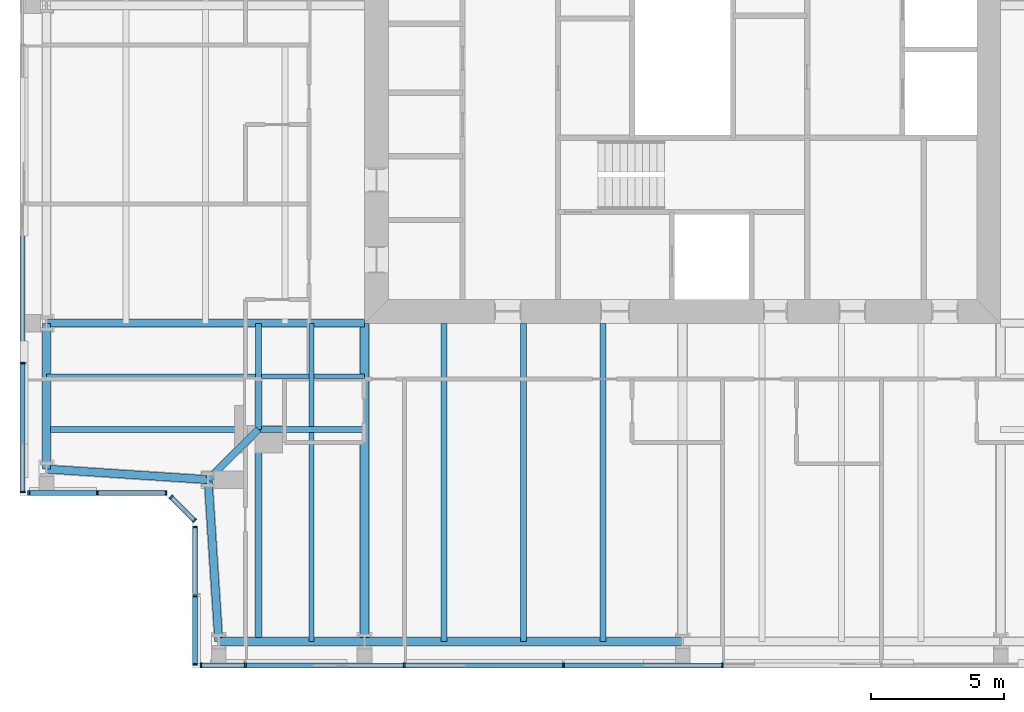
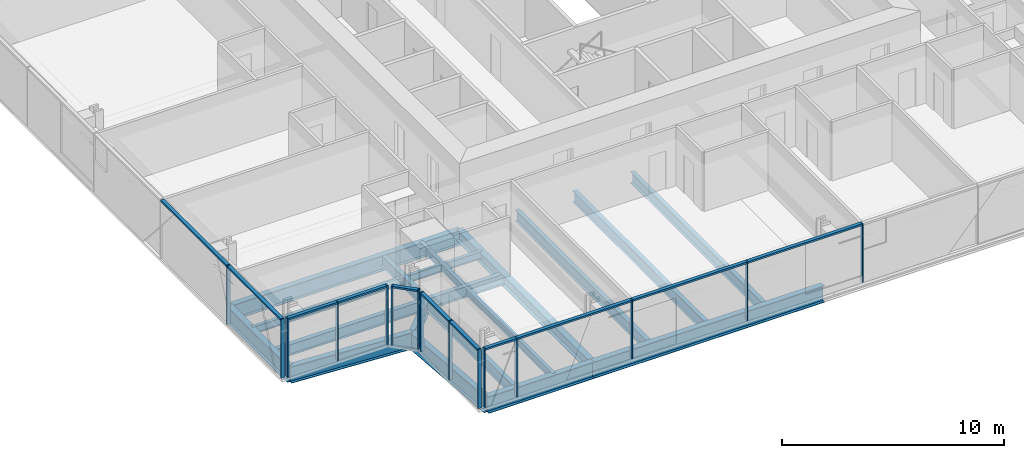
# One storey, part 2 of 20: 26 members, 20 beams, 5 elements without a shape of their own.
"""IFC4 building model written with IfcOpenShell, lengths in metres."""

from ifc_helpers import new_model, si_unit, direction, frame, origin, origin_2d, place, context, subcontext, project, spatial, rectangle, i_section, extrude, material, material_profile, profile_set, type_object, element, aggregate, save


model = new_model("IFC4")

# Units and contexts
model_context = context("Model", 3, precision=1e-05, world=origin(), true_north=direction((0.0, 1.0)))
body_context = subcontext(model_context, "Body", "Model", "MODEL_VIEW")
ifc_project = project(units=[si_unit("LENGTHUNIT", "METRE"), si_unit("AREAUNIT", "SQUARE_METRE"), si_unit("VOLUMEUNIT", "CUBIC_METRE"), si_unit("PLANEANGLEUNIT", "RADIAN"), si_unit("MASSUNIT", "GRAM", prefix="KILO")], contexts=[model_context])

# Site, building, storey
site_placement = place(None, origin())
site = spatial("IfcSite", under=ifc_project, at=site_placement, CompositionType="ELEMENT")
building_placement = place(site_placement, origin())
building = spatial("IfcBuilding", under=site, at=building_placement, Name="Fenwick Lantern Interchange", CompositionType="ELEMENT")
storey_placement = place(building_placement, frame((0.0, 0.0, 259.39990234375)))
storey = spatial("IfcBuildingStorey", under=building, at=storey_placement, Name="L61", CompositionType="ELEMENT", Elevation=259.39990234375)

# Beams
ifc_material_1 = material(Name="Steel ASTM A992 Grade 50", Category="steel")
ifc_material_profile_1 = material_profile(ifc_material_1, i_section(OverallWidth=0.3046875, OverallDepth=0.911865234375, WebThickness=0.015869140625, FlangeThickness=0.02392578125, at=origin_2d()), Name="W36X150")
ifc_profile_set_1 = profile_set([ifc_material_profile_1], Name="Steel ASTM A992 Grade 50")
beam_type_1 = type_object("IfcBeamType", Name="EDGE BEAM W36X150", PredefinedType="SPANDREL", material=ifc_profile_set_1)
beam_1_placement = place(storey_placement, frame((7.5, 1.0, -0.605712890625), z_axis=(1.0, 0.0, 0.0), x_axis=(0.0, 1.0, 0.0)))
element("IfcBeam", 1, at=beam_1_placement, inside=storey, type_object=beam_type_1, Name="L61/FR/S/EB1", PredefinedType="SPANDREL", context=body_context, shape_type="SweptSolid", body=[
    extrude(i_section(OverallWidth=0.3046875, OverallDepth=0.911865234375, WebThickness=0.015869140625, FlangeThickness=0.02392578125, at=origin_2d()), origin(), (0.0, 0.0, 1.0), 5.5),
])
beam_2_placement = place(storey_placement, frame((13.0, 1.0, -0.605712890625), z_axis=(1.0, 0.0, 0.0), x_axis=(0.0, 1.0, 0.0)))
element("IfcBeam", 2, at=beam_2_placement, inside=storey, type_object=beam_type_1, Name="L61/FR/S/EB2", PredefinedType="SPANDREL", context=body_context, shape_type="SweptSolid", body=[
    extrude(i_section(OverallWidth=0.3046875, OverallDepth=0.911865234375, WebThickness=0.015869140625, FlangeThickness=0.02392578125, at=origin_2d()), origin(), (0.0, 0.0, 1.0), 12.0),
])
beam_3_placement = place(storey_placement, frame((1.0, 13.0, -0.605712890625), z_axis=(0.0, -1.0, 0.0), x_axis=(1.0, 0.0, 0.0)))
element("IfcBeam", 3, at=beam_3_placement, inside=storey, type_object=beam_type_1, Name="L61/FR/W/EB4", PredefinedType="SPANDREL", context=body_context, shape_type="SweptSolid", body=[
    extrude(i_section(OverallWidth=0.3046875, OverallDepth=0.911865234375, WebThickness=0.015869140625, FlangeThickness=0.02392578125, at=origin_2d()), origin(), (0.0, 0.0, 1.0), 5.5),
])
for number, where, z_axis, x_axis, name in (
    (4, (1.0, 7.5, -0.605712890625), (0.997858060337, -0.065416293237, 0.0), (0.065416293237, 0.997858060337, 0.0), "L61/FR/W/EBR1"),
    (5, (7.10009765625, 7.10009765625, -0.605712890625), (0.065416293237, -0.997858060337, 0.0), (0.997858060337, 0.065416293237, 0.0), "L61/FR/W/EBR2"),
):
    element("IfcBeam", number, at=place(storey_placement, frame(where, z_axis=z_axis, x_axis=x_axis)), inside=storey, type_object=beam_type_1, Name=name, PredefinedType="SPANDREL", context=body_context, shape_type="SweptSolid", body=[
        extrude(i_section(OverallWidth=0.3046875, OverallDepth=0.911865234375, WebThickness=0.015869140625, FlangeThickness=0.02392578125, at=origin_2d()), origin(), (0.0, 0.0, 1.0), 6.11328125),
    ])
ifc_material_profile_2 = material_profile(ifc_material_1, i_section(OverallWidth=0.22900390625, OverallDepth=0.612060546875, WebThickness=0.011962890625, FlangeThickness=0.01953125, at=origin_2d()), Name="W24X84")
ifc_profile_set_2 = profile_set([ifc_material_profile_2], Name="Steel ASTM A992 Grade 50")
beam_type_2 = type_object("IfcBeamType", Name="FLOOR BEAM W24X84", PredefinedType="BEAM", material=ifc_profile_set_2)
for number, where, z_axis, x_axis, name in (
    (6, (16.0, 1.0, -0.4560546875), (0.0, 1.0, 0.0), (-1.0, 0.0, 0.0), "L61/FR/S/R02"),
    (7, (19.0, 1.0, -0.4560546875), (0.0, 1.0, 0.0), (-1.0, 0.0, 0.0), "L61/FR/S/R03"),
    (8, (22.0, 1.0, -0.4560546875), (0.0, 1.0, 0.0), (-1.0, 0.0, 0.0), "L61/FR/S/R04"),
):
    element("IfcBeam", number, at=place(storey_placement, frame(where, z_axis=z_axis, x_axis=x_axis)), inside=storey, type_object=beam_type_2, Name=name, PredefinedType="BEAM", context=body_context, shape_type="SweptSolid", body=[
        extrude(i_section(OverallWidth=0.22900390625, OverallDepth=0.612060546875, WebThickness=0.011962890625, FlangeThickness=0.01953125, at=origin_2d()), origin(), (0.0, 0.0, 1.0), 12.0),
    ])

# Curtain wall, members
ifc_material_2 = material(Name="Aluminium curtain wall frame", Category="aluminium")
curtain_wall_type = type_object("IfcCurtainWallType", Name="HOTEL CURTAIN WALL", PredefinedType="USERDEFINED", material=ifc_material_2)
curtain_wall_1_placement = place(storey_placement, origin())
curtain_wall_1 = element("IfcCurtainWall", 9, at=curtain_wall_1_placement, inside=storey, type_object=curtain_wall_type, Name="Hotel curtain wall 01", ObjectType="HOTEL CURTAIN WALL", PredefinedType="USERDEFINED")
ifc_material_3 = material(Name="Aluminium extrusion", Category="aluminium")
ifc_material_profile_3 = material_profile(ifc_material_3, rectangle(XDim=0.179931640625, YDim=0.06005859375, at=origin_2d()), Name="HOTEL CURTAIN WALL MULLION 60 X 180")
ifc_profile_set_3 = profile_set([ifc_material_profile_3], Name="Aluminium extrusion")
member_type_1 = type_object("IfcMemberType", Name="HOTEL CURTAIN WALL MULLION 60 X 180", PredefinedType="MULLION", material=ifc_profile_set_3)
member_1_placement = place(storey_placement, frame((6.830078125, 0.10009765625, 0.0), z_axis=(0.0, 0.0, 1.0), x_axis=(0.0, 1.0, 0.0)))
member_1 = element("IfcMember", 10, at=member_1_placement, type_object=member_type_1, Name="L61/CW/01/M00", PredefinedType="MULLION", context=body_context, shape_type="SweptSolid", body=[
    extrude(rectangle(XDim=0.179931640625, YDim=0.06005859375, at=origin_2d()), origin(), (0.0, 0.0, 1.0), 3.25),
])
member_2_placement = place(storey_placement, frame((8.5, 0.10009765625, 0.0), z_axis=(0.0, 0.0, 1.0), x_axis=(0.0, 1.0, 0.0)))
member_2 = element("IfcMember", 11, at=member_2_placement, type_object=member_type_1, Name="L61/CW/01/M01", PredefinedType="MULLION", context=body_context, shape_type="SweptSolid", body=[
    extrude(rectangle(XDim=0.179931640625, YDim=0.06005859375, at=origin_2d()), origin(), (0.0, 0.0, 1.0), 3.25),
])
member_3_placement = place(storey_placement, frame((14.5, 0.10009765625, 0.0), z_axis=(0.0, 0.0, 1.0), x_axis=(0.0, 1.0, 0.0)))
member_3 = element("IfcMember", 12, at=member_3_placement, type_object=member_type_1, Name="L61/CW/01/M02", PredefinedType="MULLION", context=body_context, shape_type="SweptSolid", body=[
    extrude(rectangle(XDim=0.179931640625, YDim=0.06005859375, at=origin_2d()), origin(), (0.0, 0.0, 1.0), 3.25),
])
member_4_placement = place(storey_placement, frame((20.5, 0.10009765625, 0.0), z_axis=(0.0, 0.0, 1.0), x_axis=(0.0, 1.0, 0.0)))
member_4 = element("IfcMember", 13, at=member_4_placement, type_object=member_type_1, Name="L61/CW/01/M03", PredefinedType="MULLION", context=body_context, shape_type="SweptSolid", body=[
    extrude(rectangle(XDim=0.179931640625, YDim=0.06005859375, at=origin_2d()), origin(), (0.0, 0.0, 1.0), 3.25),
])
member_5_placement = place(storey_placement, frame((26.5, 0.10009765625, 0.0), z_axis=(0.0, 0.0, 1.0), x_axis=(0.0, 1.0, 0.0)))
member_5 = element("IfcMember", 14, at=member_5_placement, type_object=member_type_1, Name="L61/CW/01/M04", PredefinedType="MULLION", context=body_context, shape_type="SweptSolid", body=[
    extrude(rectangle(XDim=0.179931640625, YDim=0.06005859375, at=origin_2d()), origin(), (0.0, 0.0, 1.0), 3.25),
])

curtain_wall_2_placement = place(storey_placement, origin())
curtain_wall_2 = element("IfcCurtainWall", 15, at=curtain_wall_2_placement, inside=storey, type_object=curtain_wall_type, Name="Hotel curtain wall 13", ObjectType="HOTEL CURTAIN WALL", PredefinedType="USERDEFINED")
member_6_placement = place(storey_placement, frame((0.10009765625, 11.5, 0.0), z_axis=(0.0, 0.0, 1.0), x_axis=(1.0, 0.0, 0.0)))
member_6 = element("IfcMember", 16, at=member_6_placement, type_object=member_type_1, Name="L61/CW/13/M06", PredefinedType="MULLION", context=body_context, shape_type="SweptSolid", body=[
    extrude(rectangle(XDim=0.179931640625, YDim=0.06005859375, at=origin_2d()), origin(), (0.0, 0.0, 1.0), 3.25),
])
member_7_placement = place(storey_placement, frame((0.10009765625, 6.6298828125, 0.0), z_axis=(0.0, 0.0, 1.0), x_axis=(1.0, 0.0, 0.0)))
member_7 = element("IfcMember", 17, at=member_7_placement, type_object=member_type_1, Name="L61/CW/13/M07", PredefinedType="MULLION", context=body_context, shape_type="SweptSolid", body=[
    extrude(rectangle(XDim=0.179931640625, YDim=0.06005859375, at=origin_2d()), origin(), (0.0, 0.0, 1.0), 3.25),
])

curtain_wall_3_placement = place(storey_placement, origin())
curtain_wall_3 = element("IfcCurtainWall", 18, at=curtain_wall_3_placement, inside=storey, type_object=curtain_wall_type, Name="Hotel curtain wall 14", ObjectType="HOTEL CURTAIN WALL", PredefinedType="USERDEFINED")
member_8_placement = place(storey_placement, frame((0.330078125, 6.60009765625, 0.0), z_axis=(0.0, 0.0, 1.0), x_axis=(0.0, 1.0, 0.0)))
member_8 = element("IfcMember", 19, at=member_8_placement, type_object=member_type_1, Name="L61/CW/14/M00", PredefinedType="MULLION", context=body_context, shape_type="SweptSolid", body=[
    extrude(rectangle(XDim=0.179931640625, YDim=0.06005859375, at=origin_2d()), origin(), (0.0, 0.0, 1.0), 3.25),
])
member_9_placement = place(storey_placement, frame((2.920654296875, 6.60009765625, 0.0), z_axis=(0.0, 0.0, 1.0), x_axis=(0.0, 1.0, 0.0)))
member_9 = element("IfcMember", 20, at=member_9_placement, type_object=member_type_1, Name="L61/CW/14/M01", PredefinedType="MULLION", context=body_context, shape_type="SweptSolid", body=[
    extrude(rectangle(XDim=0.179931640625, YDim=0.06005859375, at=origin_2d()), origin(), (0.0, 0.0, 1.0), 3.25),
])
member_10_placement = place(storey_placement, frame((5.511474609375, 6.60009765625, 0.0), z_axis=(0.0, 0.0, 1.0), x_axis=(0.0, 1.0, 0.0)))
member_10 = element("IfcMember", 21, at=member_10_placement, type_object=member_type_1, Name="L61/CW/14/M02", PredefinedType="MULLION", context=body_context, shape_type="SweptSolid", body=[
    extrude(rectangle(XDim=0.179931640625, YDim=0.06005859375, at=origin_2d()), origin(), (0.0, 0.0, 1.0), 3.25),
])

curtain_wall_4_placement = place(storey_placement, origin())
curtain_wall_4 = element("IfcCurtainWall", 22, at=curtain_wall_4_placement, inside=storey, type_object=curtain_wall_type, Name="Hotel curtain wall 15", ObjectType="HOTEL CURTAIN WALL", PredefinedType="USERDEFINED")
member_11_placement = place(storey_placement, frame((5.7041015625, 6.437255859375, 0.0), z_axis=(0.0, 0.0, 1.0), x_axis=(0.707106781187, 0.707106781187, 0.0)))
member_11 = element("IfcMember", 23, at=member_11_placement, type_object=member_type_1, Name="L61/CW/15/M00", PredefinedType="MULLION", context=body_context, shape_type="SweptSolid", body=[
    extrude(rectangle(XDim=0.179931640625, YDim=0.06005859375, at=origin_2d()), origin(), (0.0, 0.0, 1.0), 3.25),
])
member_12_placement = place(storey_placement, frame((6.578857421875, 5.562744140625, 0.0), z_axis=(0.0, 0.0, 1.0), x_axis=(0.707106781187, 0.707106781187, 0.0)))
member_12 = element("IfcMember", 24, at=member_12_placement, type_object=member_type_1, Name="L61/CW/15/M01", PredefinedType="MULLION", context=body_context, shape_type="SweptSolid", body=[
    extrude(rectangle(XDim=0.179931640625, YDim=0.06005859375, at=origin_2d()), origin(), (0.0, 0.0, 1.0), 3.25),
])

curtain_wall_5_placement = place(storey_placement, origin())
curtain_wall_5 = element("IfcCurtainWall", 25, at=curtain_wall_5_placement, inside=storey, type_object=curtain_wall_type, Name="Hotel curtain wall 16", ObjectType="HOTEL CURTAIN WALL", PredefinedType="USERDEFINED")
member_13_placement = place(storey_placement, frame((6.60009765625, 5.3115234375, 0.0), z_axis=(0.0, 0.0, 1.0), x_axis=(1.0, 0.0, 0.0)))
member_13 = element("IfcMember", 26, at=member_13_placement, type_object=member_type_1, Name="L61/CW/16/M00", PredefinedType="MULLION", context=body_context, shape_type="SweptSolid", body=[
    extrude(rectangle(XDim=0.179931640625, YDim=0.06005859375, at=origin_2d()), origin(), (0.0, 0.0, 1.0), 3.25),
])
member_14_placement = place(storey_placement, frame((6.60009765625, 2.720703125, 0.0), z_axis=(0.0, 0.0, 1.0), x_axis=(1.0, 0.0, 0.0)))
member_14 = element("IfcMember", 27, at=member_14_placement, type_object=member_type_1, Name="L61/CW/16/M01", PredefinedType="MULLION", context=body_context, shape_type="SweptSolid", body=[
    extrude(rectangle(XDim=0.179931640625, YDim=0.06005859375, at=origin_2d()), origin(), (0.0, 0.0, 1.0), 3.25),
])
member_15_placement = place(storey_placement, frame((6.60009765625, 0.1298828125, 0.0), z_axis=(0.0, 0.0, 1.0), x_axis=(1.0, 0.0, 0.0)))
member_15 = element("IfcMember", 28, at=member_15_placement, type_object=member_type_1, Name="L61/CW/16/M02", PredefinedType="MULLION", context=body_context, shape_type="SweptSolid", body=[
    extrude(rectangle(XDim=0.179931640625, YDim=0.06005859375, at=origin_2d()), origin(), (0.0, 0.0, 1.0), 3.25),
])

# Member
ifc_material_profile_4 = material_profile(ifc_material_3, rectangle(XDim=0.179931640625, YDim=0.10009765625, at=origin_2d()), Name="HOTEL CURTAIN WALL TRANSOM 100 X 180")
ifc_profile_set_4 = profile_set([ifc_material_profile_4], Name="Aluminium extrusion")
member_type_2 = type_object("IfcMemberType", Name="HOTEL CURTAIN WALL TRANSOM 100 X 180", PredefinedType="MULLION", material=ifc_profile_set_4)
member_16_placement = place(storey_placement, frame((6.860107421875, 0.10009765625, 3.2001953125), z_axis=(1.0, 0.0, 0.0), x_axis=(0.0, 1.0, 0.0)))
member_16 = element("IfcMember", 29, at=member_16_placement, type_object=member_type_2, Name="L61/CW/01/T00", PredefinedType="MULLION", context=body_context, shape_type="SweptSolid", body=[
    extrude(rectangle(XDim=0.179931640625, YDim=0.10009765625, at=origin_2d()), origin(), (0.0, 0.0, 1.0), 1.60986328125),
])

member_17_placement = place(storey_placement, frame((8.530029296875, 0.10009765625, 3.2001953125), z_axis=(1.0, 0.0, 0.0), x_axis=(0.0, 1.0, 0.0)))
member_17 = element("IfcMember", 30, at=member_17_placement, type_object=member_type_2, Name="L61/CW/01/T01", PredefinedType="MULLION", context=body_context, shape_type="SweptSolid", body=[
    extrude(rectangle(XDim=0.179931640625, YDim=0.10009765625, at=origin_2d()), origin(), (0.0, 0.0, 1.0), 5.93994140625),
])

member_18_placement = place(storey_placement, frame((14.530029296875, 0.10009765625, 3.2001953125), z_axis=(1.0, 0.0, 0.0), x_axis=(0.0, 1.0, 0.0)))
member_18 = element("IfcMember", 31, at=member_18_placement, type_object=member_type_2, Name="L61/CW/01/T02", PredefinedType="MULLION", context=body_context, shape_type="SweptSolid", body=[
    extrude(rectangle(XDim=0.179931640625, YDim=0.10009765625, at=origin_2d()), origin(), (0.0, 0.0, 1.0), 5.93994140625),
])

member_19_placement = place(storey_placement, frame((20.530029296875, 0.10009765625, 3.2001953125), z_axis=(1.0, 0.0, 0.0), x_axis=(0.0, 1.0, 0.0)))
member_19 = element("IfcMember", 32, at=member_19_placement, type_object=member_type_2, Name="L61/CW/01/T03", PredefinedType="MULLION", context=body_context, shape_type="SweptSolid", body=[
    extrude(rectangle(XDim=0.179931640625, YDim=0.10009765625, at=origin_2d()), origin(), (0.0, 0.0, 1.0), 5.93994140625),
])

aggregate(curtain_wall_1, [member_1, member_2, member_3, member_4, member_5, member_16, member_17, member_18, member_19])

member_20_placement = place(storey_placement, frame((0.10009765625, 17.469970703125, 3.2001953125), z_axis=(0.0, -1.0, 0.0), x_axis=(1.0, 0.0, 0.0)))
member_20 = element("IfcMember", 33, at=member_20_placement, type_object=member_type_2, Name="L61/CW/13/T05", PredefinedType="MULLION", context=body_context, shape_type="SweptSolid", body=[
    extrude(rectangle(XDim=0.179931640625, YDim=0.10009765625, at=origin_2d()), origin(), (0.0, 0.0, 1.0), 5.93994140625),
])

member_21_placement = place(storey_placement, frame((0.10009765625, 11.469970703125, 3.2001953125), z_axis=(0.0, -1.0, 0.0), x_axis=(1.0, 0.0, 0.0)))
member_21 = element("IfcMember", 34, at=member_21_placement, type_object=member_type_2, Name="L61/CW/13/T06", PredefinedType="MULLION", context=body_context, shape_type="SweptSolid", body=[
    extrude(rectangle(XDim=0.179931640625, YDim=0.10009765625, at=origin_2d()), origin(), (0.0, 0.0, 1.0), 4.81005859375),
])

aggregate(curtain_wall_2, [member_6, member_7, member_20, member_21])

member_22_placement = place(storey_placement, frame((0.360107421875, 6.60009765625, 3.2001953125), z_axis=(1.0, 0.0, 0.0), x_axis=(0.0, 1.0, 0.0)))
member_22 = element("IfcMember", 35, at=member_22_placement, type_object=member_type_2, Name="L61/CW/14/T00", PredefinedType="MULLION", context=body_context, shape_type="SweptSolid", body=[
    extrude(rectangle(XDim=0.179931640625, YDim=0.10009765625, at=origin_2d()), origin(), (0.0, 0.0, 1.0), 2.530517578125),
])

member_23_placement = place(storey_placement, frame((2.95068359375, 6.60009765625, 3.2001953125), z_axis=(1.0, 0.0, 0.0), x_axis=(0.0, 1.0, 0.0)))
member_23 = element("IfcMember", 36, at=member_23_placement, type_object=member_type_2, Name="L61/CW/14/T01", PredefinedType="MULLION", context=body_context, shape_type="SweptSolid", body=[
    extrude(rectangle(XDim=0.179931640625, YDim=0.10009765625, at=origin_2d()), origin(), (0.0, 0.0, 1.0), 2.53076171875),
])

aggregate(curtain_wall_3, [member_8, member_9, member_10, member_22, member_23])

member_24_placement = place(storey_placement, frame((5.725341796875, 6.416259765625, 3.2001953125), z_axis=(0.707003077033, -0.707210470133, 0.0), x_axis=(0.707210470133, 0.707003077033, 0.0)))
member_24 = element("IfcMember", 37, at=member_24_placement, type_object=member_type_2, Name="L61/CW/15/T00", PredefinedType="MULLION", context=body_context, shape_type="SweptSolid", body=[
    extrude(rectangle(XDim=0.179931640625, YDim=0.10009765625, at=origin_2d()), origin(), (0.0, 0.0, 1.0), 1.17724609375),
])

aggregate(curtain_wall_4, [member_11, member_12, member_24])

member_25_placement = place(storey_placement, frame((6.60009765625, 5.281494140625, 3.2001953125), z_axis=(0.0, -1.0, 0.0), x_axis=(1.0, 0.0, 0.0)))
member_25 = element("IfcMember", 38, at=member_25_placement, type_object=member_type_2, Name="L61/CW/16/T00", PredefinedType="MULLION", context=body_context, shape_type="SweptSolid", body=[
    extrude(rectangle(XDim=0.179931640625, YDim=0.10009765625, at=origin_2d()), origin(), (0.0, 0.0, 1.0), 2.53076171875),
])

member_26_placement = place(storey_placement, frame((6.60009765625, 2.690673828125, 3.2001953125), z_axis=(0.0, -1.0, 0.0), x_axis=(1.0, 0.0, 0.0)))
member_26 = element("IfcMember", 39, at=member_26_placement, type_object=member_type_2, Name="L61/CW/16/T01", PredefinedType="MULLION", context=body_context, shape_type="SweptSolid", body=[
    extrude(rectangle(XDim=0.179931640625, YDim=0.10009765625, at=origin_2d()), origin(), (0.0, 0.0, 1.0), 2.53076171875),
])

aggregate(curtain_wall_5, [member_13, member_14, member_15, member_25, member_26])

# Beams
ifc_material_profile_5 = material_profile(ifc_material_1, i_section(OverallWidth=0.177734375, OverallDepth=0.406494140625, WebThickness=0.0078125, FlangeThickness=0.012939453125, at=origin_2d()), Name="W16X40")
ifc_profile_set_5 = profile_set([ifc_material_profile_5], Name="Steel ASTM A992 Grade 50")
beam_type_3 = type_object("IfcBeamType", Name="INFILL BEAM W16X40", PredefinedType="JOIST", material=ifc_profile_set_5)
beam_4_placement = place(storey_placement, frame((11.0, 1.0, -0.35302734375), z_axis=(0.0, 1.0, 0.0), x_axis=(-1.0, 0.0, 0.0)))
element("IfcBeam", 40, at=beam_4_placement, inside=storey, type_object=beam_type_3, Name="L61/FR/S/J1", PredefinedType="JOIST", context=body_context, shape_type="SweptSolid", body=[
    extrude(i_section(OverallWidth=0.177734375, OverallDepth=0.406494140625, WebThickness=0.0078125, FlangeThickness=0.012939453125, at=origin_2d()), origin(), (0.0, 0.0, 1.0), 7.885498046875),
])
beam_5_placement = place(storey_placement, frame((11.0, 9.114501953125, -0.35302734375), z_axis=(0.0, 1.0, 0.0), x_axis=(-1.0, 0.0, 0.0)))
element("IfcBeam", 41, at=beam_5_placement, inside=storey, type_object=beam_type_3, Name="L61/FR/S/J2", PredefinedType="JOIST", context=body_context, shape_type="SweptSolid", body=[
    extrude(i_section(OverallWidth=0.177734375, OverallDepth=0.406494140625, WebThickness=0.0078125, FlangeThickness=0.012939453125, at=origin_2d()), origin(), (0.0, 0.0, 1.0), 3.885498046875),
])
beam_6_placement = place(storey_placement, frame((1.0, 11.0, -0.35302734375), z_axis=(1.0, 0.0, 0.0), x_axis=(0.0, 1.0, 0.0)))
element("IfcBeam", 42, at=beam_6_placement, inside=storey, type_object=beam_type_3, Name="L61/FR/S/J3", PredefinedType="JOIST", context=body_context, shape_type="SweptSolid", body=[
    extrude(i_section(OverallWidth=0.177734375, OverallDepth=0.406494140625, WebThickness=0.0078125, FlangeThickness=0.012939453125, at=origin_2d()), origin(), (0.0, 0.0, 1.0), 7.885498046875),
])
beam_7_placement = place(storey_placement, frame((9.114501953125, 11.0, -0.35302734375), z_axis=(1.0, 0.0, 0.0), x_axis=(0.0, 1.0, 0.0)))
element("IfcBeam", 43, at=beam_7_placement, inside=storey, type_object=beam_type_3, Name="L61/FR/S/J4", PredefinedType="JOIST", context=body_context, shape_type="SweptSolid", body=[
    extrude(i_section(OverallWidth=0.177734375, OverallDepth=0.406494140625, WebThickness=0.0078125, FlangeThickness=0.012939453125, at=origin_2d()), origin(), (0.0, 0.0, 1.0), 1.796630859375),
])
beam_8_placement = place(storey_placement, frame((11.0888671875, 11.0, -0.35302734375), z_axis=(1.0, 0.0, 0.0), x_axis=(0.0, 1.0, 0.0)))
element("IfcBeam", 44, at=beam_8_placement, inside=storey, type_object=beam_type_3, Name="L61/FR/S/J5", PredefinedType="JOIST", context=body_context, shape_type="SweptSolid", body=[
    extrude(i_section(OverallWidth=0.177734375, OverallDepth=0.406494140625, WebThickness=0.0078125, FlangeThickness=0.012939453125, at=origin_2d()), origin(), (0.0, 0.0, 1.0), 1.9111328125),
])
ifc_material_profile_6 = material_profile(ifc_material_1, i_section(OverallWidth=0.22900390625, OverallDepth=0.612060546875, WebThickness=0.011962890625, FlangeThickness=0.01953125, at=origin_2d()), Name="W24X84")
ifc_profile_set_6 = profile_set([ifc_material_profile_6], Name="Steel ASTM A992 Grade 50")
beam_type_4 = type_object("IfcBeamType", Name="MEGA COLUMN BEAM W24X84", PredefinedType="BEAM", material=ifc_profile_set_6)
for number, where, z_axis, x_axis, name in (
    (45, (9.0, 9.0, -0.4560546875), (0.0, -1.0, 0.0), (1.0, 0.0, 0.0), "L61/FR/S/MB1"),
    (46, (9.0, 9.0, -0.4560546875), (-1.0, 0.0, 0.0), (0.0, -1.0, 0.0), "L61/FR/S/MB2"),
):
    element("IfcBeam", number, at=place(storey_placement, frame(where, z_axis=z_axis, x_axis=x_axis)), inside=storey, type_object=beam_type_4, Name=name, PredefinedType="BEAM", context=body_context, shape_type="SweptSolid", body=[
        extrude(i_section(OverallWidth=0.22900390625, OverallDepth=0.612060546875, WebThickness=0.011962890625, FlangeThickness=0.01953125, at=origin_2d()), origin(), (0.0, 0.0, 1.0), 8.0),
    ])
for number, where, z_axis, x_axis, name in (
    (47, (9.0, 9.0, -0.4560546875), (1.0, 0.0, 0.0), (0.0, 1.0, 0.0), "L61/FR/S/MB3"),
    (48, (9.0, 9.0, -0.4560546875), (0.0, 1.0, 0.0), (-1.0, 0.0, 0.0), "L61/FR/S/MB4"),
):
    element("IfcBeam", number, at=place(storey_placement, frame(where, z_axis=z_axis, x_axis=x_axis)), inside=storey, type_object=beam_type_4, Name=name, PredefinedType="BEAM", context=body_context, shape_type="SweptSolid", body=[
        extrude(i_section(OverallWidth=0.22900390625, OverallDepth=0.612060546875, WebThickness=0.011962890625, FlangeThickness=0.01953125, at=origin_2d()), origin(), (0.0, 0.0, 1.0), 4.0),
    ])
ifc_material_profile_7 = material_profile(ifc_material_1, i_section(OverallWidth=0.32763671875, OverallDepth=0.622314453125, WebThickness=0.015380859375, FlangeThickness=0.0244140625, at=origin_2d()), Name="W24X131")
ifc_profile_set_7 = profile_set([ifc_material_profile_7], Name="Steel ASTM A992 Grade 50")
beam_type_5 = type_object("IfcBeamType", Name="MOMENT-CONNECTED GIRDER W24X131", PredefinedType="BEAM", material=ifc_profile_set_7)
beam_9_placement = place(storey_placement, frame((13.0, 1.0, -0.4609375), z_axis=(0.0, 1.0, 0.0), x_axis=(-1.0, 0.0, 0.0)))
element("IfcBeam", 49, at=beam_9_placement, inside=storey, type_object=beam_type_5, Name="L61/FR/S/R01", PredefinedType="BEAM", context=body_context, shape_type="SweptSolid", body=[
    extrude(i_section(OverallWidth=0.32763671875, OverallDepth=0.622314453125, WebThickness=0.015380859375, FlangeThickness=0.0244140625, at=origin_2d()), origin(), (0.0, 0.0, 1.0), 12.0),
])
ifc_material_profile_8 = material_profile(ifc_material_1, i_section(OverallWidth=0.2919921875, OverallDepth=0.845703125, WebThickness=0.015380859375, FlangeThickness=0.0244140625, at=origin_2d()), Name="W33X141")
ifc_profile_set_8 = profile_set([ifc_material_profile_8], Name="Steel ASTM A992 Grade 50")
beam_type_6 = type_object("IfcBeamType", Name="MOMENT-CONNECTED GIRDER W33X141", PredefinedType="BEAM", material=ifc_profile_set_8)
beam_10_placement = place(storey_placement, frame((1.0, 13.0, -0.57275390625), z_axis=(1.0, 0.0, 0.0), x_axis=(0.0, 1.0, 0.0)))
element("IfcBeam", 50, at=beam_10_placement, inside=storey, type_object=beam_type_6, Name="L61/FR/W/R03", PredefinedType="BEAM", context=body_context, shape_type="SweptSolid", body=[
    extrude(i_section(OverallWidth=0.2919921875, OverallDepth=0.845703125, WebThickness=0.015380859375, FlangeThickness=0.0244140625, at=origin_2d()), origin(), (0.0, 0.0, 1.0), 12.0),
])
ifc_material_profile_9 = material_profile(ifc_material_1, i_section(OverallWidth=0.2666015625, OverallDepth=0.7568359375, WebThickness=0.013916015625, FlangeThickness=0.019287109375, at=origin_2d()), Name="W30X108")
ifc_profile_set_9 = profile_set([ifc_material_profile_9], Name="Steel ASTM A992 Grade 50")
beam_type_7 = type_object("IfcBeamType", Name="NOTCH BEAM W30X108", PredefinedType="BEAM", material=ifc_profile_set_9)
beam_11_placement = place(storey_placement, frame((9.0, 9.0, -0.5283203125), z_axis=(-0.707106781187, -0.707106781187, 0.0), x_axis=(0.707106781187, -0.707106781187, 0.0)))
element("IfcBeam", 51, at=beam_11_placement, inside=storey, type_object=beam_type_7, Name="L61/FR/S/TG", PredefinedType="BEAM", context=body_context, shape_type="SweptSolid", body=[
    extrude(i_section(OverallWidth=0.2666015625, OverallDepth=0.7568359375, WebThickness=0.013916015625, FlangeThickness=0.019287109375, at=origin_2d()), origin(), (0.0, 0.0, 1.0), 2.686767578125),
])

save(model, "model.ifc")
